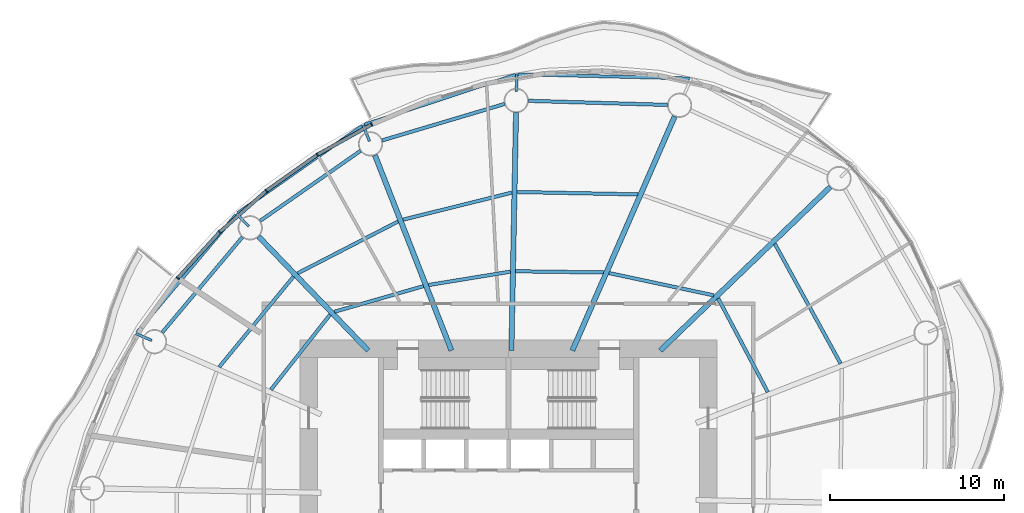
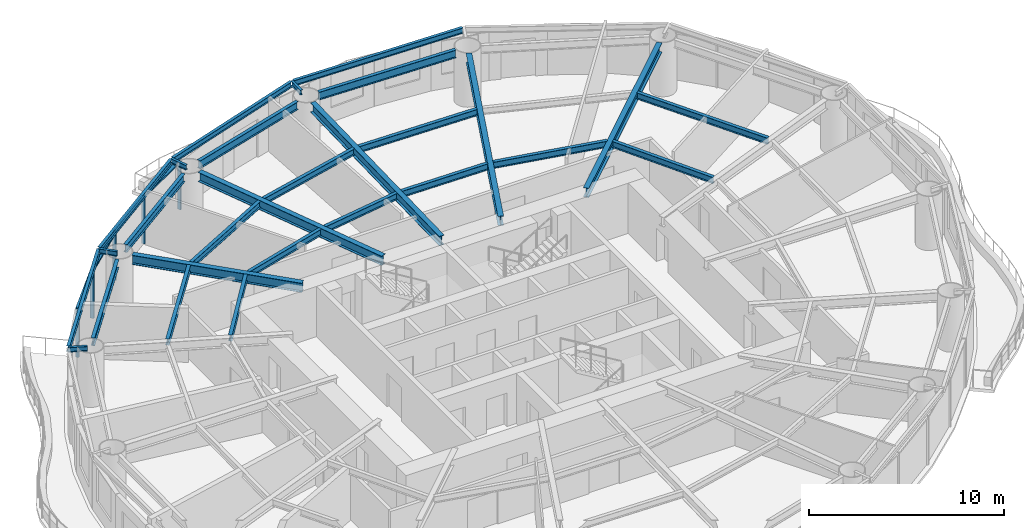
# One storey, part 5 of 14: 28 beams, 9 members, 4 elements without a shape of their own.
"""IFC4 building model written with IfcOpenShell, lengths in metres."""

import ifcopenshell
import ifcopenshell.guid

model = None  # the IFC model being written
_history = None  # IfcOwnerHistory: only IFC2X3 demands one
_inside = {}  # id of a spatial element -> (the spatial element, [elements in it])
_under = {}  # id of a project, library or spatial element -> (it, [spatial elements below it])
_declared = {}  # id of a project -> (the project, [libraries it declares])
_typed = {}  # id of a type object -> (the type object, [elements of that type])
_made_of = {}  # id of a material, layer set ... -> (it, [elements and type objects made of it])


def new_model(schema):
    """Start an empty IFC model of exactly this schema.

    Asked for "IFC4X3", IfcOpenShell would pick the latest addendum, in which some entities
    have other attributes; the version numbers below select the first issue.
    IFC2X3 requires an IfcOwnerHistory on every rooted entity: one is made here for all.
    """
    global model, _history
    if schema == "IFC4X3":
        model = ifcopenshell.file(schema_version=(4, 3, 0, 0))
    else:
        model = ifcopenshell.file(schema=schema)
    _inside.clear()
    _under.clear()
    _declared.clear()
    _typed.clear()
    _made_of.clear()
    _history = None
    if model.schema == "IFC2X3":
        org = make("IfcOrganization", Name="unknown")
        user = make(
            "IfcPersonAndOrganization",
            ThePerson=make("IfcPerson", FamilyName="unknown"),
            TheOrganization=org,
        )
        app = make(
            "IfcApplication",
            ApplicationDeveloper=org,
            Version="unknown",
            ApplicationFullName="unknown",
            ApplicationIdentifier="unknown",
        )
        _history = make(
            "IfcOwnerHistory",
            OwningUser=user,
            OwningApplication=app,
            ChangeAction="ADDED",
            CreationDate=0,
        )
    return model


def make(cls, **values):
    """One entity of the class cls with the attributes given. An attribute that is None is left unset."""
    return model.create_entity(
        cls, **{name: value for name, value in values.items() if value is not None}
    )


def rooted(cls, **values):
    """An entity with a GlobalId (a new one), such as an element, a storey or a relation."""
    return make(cls, GlobalId=ifcopenshell.guid.new(), OwnerHistory=_history, **values)


def si_unit(unit_type, name, prefix=None):
    """IfcSIUnit, for example si_unit("LENGTHUNIT", "METRE", prefix="MILLI")."""
    return make("IfcSIUnit", UnitType=unit_type, Prefix=prefix, Name=name)


def assignment(units):
    """IfcUnitAssignment: the units of a project."""
    return None if units is None else make("IfcUnitAssignment", Units=units)


def point(xyz):
    """IfcCartesianPoint."""
    return None if xyz is None else make("IfcCartesianPoint", Coordinates=xyz)


def direction(xyz):
    """IfcDirection."""
    return None if xyz is None else make("IfcDirection", DirectionRatios=xyz)


def frame(location, z_axis=None, x_axis=None):
    """IfcAxis2Placement3D, a coordinate frame: its origin and axes. An axis left out is left unset."""
    return make(
        "IfcAxis2Placement3D",
        Location=point(location),
        Axis=direction(z_axis),
        RefDirection=direction(x_axis),
    )


def frame_2d(location, x_axis=None):
    """IfcAxis2Placement2D, a coordinate frame in the plane: its origin and x axis."""
    return make(
        "IfcAxis2Placement2D", Location=point(location), RefDirection=direction(x_axis)
    )


def origin():
    """The frame at (0, 0, 0) with its axes left unset."""
    return frame((0.0, 0.0, 0.0))


def origin_2d():
    """The frame at (0, 0) in the plane with its x axis left unset."""
    return frame_2d((0.0, 0.0))


def place(relative_to, where):
    """IfcLocalPlacement: puts the frame where relative to a parent placement (None: the world)."""
    return make(
        "IfcLocalPlacement", PlacementRelTo=relative_to, RelativePlacement=where
    )


def context(
    kind, dimensions, precision=None, world=None, true_north=None, identifier=None
):
    """IfcGeometricRepresentationContext, for example the 3D "Model" context."""
    return make(
        "IfcGeometricRepresentationContext",
        ContextIdentifier=identifier,
        ContextType=kind,
        CoordinateSpaceDimension=dimensions,
        Precision=precision,
        WorldCoordinateSystem=world,
        TrueNorth=true_north,
    )


def subcontext(parent, identifier, kind, view, scale=None):
    """IfcGeometricRepresentationSubContext, for example "Body" below "Model"."""
    return make(
        "IfcGeometricRepresentationSubContext",
        ContextIdentifier=identifier,
        ContextType=kind,
        ParentContext=parent,
        TargetScale=scale,
        TargetView=view,
    )


def project(units=None, contexts=None):
    """IfcProject with its units and contexts."""
    return rooted(
        "IfcProject",
        Name="project",
        RepresentationContexts=contexts,
        UnitsInContext=assignment(units),
    )


def spatial(cls, under=None, at=None, **own):
    """A site, building, storey or space (cls), placed at a placement, below another one or the project."""
    s = rooted(cls, ObjectPlacement=at, **own)
    if under is not None:
        _under.setdefault(under.id(), (under, []))[1].append(s)
    return s


def profile(cls, at=None, kind="AREA", **sizes):
    """A parametric profile (cls). Its sizes go by their IFC names, for example OverallWidth=200.0."""
    return make(cls, ProfileType=kind, Position=at, **sizes)


def rectangle(**sizes):
    """IfcRectangleProfileDef."""
    return profile("IfcRectangleProfileDef", **sizes)


def i_section(**sizes):
    """IfcIShapeProfileDef."""
    return profile("IfcIShapeProfileDef", **sizes)


def extrude(swept, where, along, depth):
    """IfcExtrudedAreaSolid: the profile swept, set in the frame where, extruded along a direction by depth."""
    return make(
        "IfcExtrudedAreaSolid",
        SweptArea=swept,
        Position=where,
        ExtrudedDirection=direction(along),
        Depth=depth,
    )


def shape(context_of_items, identifier, shape_type, items):
    """IfcShapeRepresentation: the items that make up one representation, for example the "Body"."""
    return make(
        "IfcShapeRepresentation",
        ContextOfItems=context_of_items,
        RepresentationIdentifier=identifier,
        RepresentationType=shape_type,
        Items=items,
    )


def material(Name=None, Category=None):
    """IfcMaterial."""
    return make("IfcMaterial", Name=Name, Category=Category)


def material_profile(
    of_material, cross_section, Name=None, Category=None, Priority=None
):
    """IfcMaterialProfile: a cross section and its material."""
    return make(
        "IfcMaterialProfile",
        Name=Name,
        Material=of_material,
        Profile=cross_section,
        Priority=Priority,
        Category=Category,
    )


def profile_set(profiles, Name=None, composite=None):
    """IfcMaterialProfileSet."""
    return make(
        "IfcMaterialProfileSet",
        Name=Name,
        MaterialProfiles=profiles,
        CompositeProfile=composite,
    )


def made_of(thing, what):
    """Note that an element or type object is made of a material, layer set ...; save() writes the relation."""
    if what is not None:
        _made_of.setdefault(what.id(), (what, []))[1].append(thing)
    return thing


def type_object(cls, material=None, **own):
    """A type object (cls), such as IfcWallType, which elements share."""
    return made_of(rooted(cls, **own), material)


def element(
    cls,
    number,
    at=None,
    inside=None,
    cuts=None,
    type_object=None,
    material=None,
    context=None,
    identifier="Body",
    shape_type=None,
    held_by="IfcProductDefinitionShape",
    body=None,
    shapes=None,
    **own,
):
    """One element of the class cls, such as IfcWall. Its Tag is "e" and its number.

    at: its placement. inside: the storey or other place that contains it. cuts: it is an
    opening in that element (IfcRelVoidsElement). A single representation is given by context,
    identifier, shape_type and body (its items); several are given by shapes. held_by: the class
    of the entity that holds the representations. save() writes the other relations.
    """
    e = rooted(cls, Tag="e%d" % number, ObjectPlacement=at, **own)
    if body is not None:
        shapes = [shape(context, identifier, shape_type, body)]
    if shapes is not None:
        e.Representation = make(held_by, Representations=shapes)
    if inside is not None:
        _inside.setdefault(inside.id(), (inside, []))[1].append(e)
    if cuts is not None:
        rooted(
            "IfcRelVoidsElement", RelatingBuildingElement=cuts, RelatedOpeningElement=e
        )
    if type_object is not None:
        _typed.setdefault(type_object.id(), (type_object, []))[1].append(e)
    return made_of(e, material)


def aggregate(whole, parts):
    """IfcRelAggregates: a whole, such as a stair, and the parts it consists of."""
    return rooted("IfcRelAggregates", RelatingObject=whole, RelatedObjects=parts)


def save(model, path):
    """Write the relations noted so far, then the file.

    IfcRelAggregates (storeys below a building ...), IfcRelContainedInSpatialStructure (elements
    in a storey), IfcRelDefinesByType, IfcRelAssociatesMaterial and IfcRelDeclares: one each for
    every whole, place, type object, material and project.
    """
    for whole, parts in _under.values():
        aggregate(whole, parts)
    for where, things in _inside.values():
        rooted(
            "IfcRelContainedInSpatialStructure",
            RelatedElements=things,
            RelatingStructure=where,
        )
    for kind, things in _typed.values():
        rooted("IfcRelDefinesByType", RelatedObjects=things, RelatingType=kind)
    for what, things in _made_of.values():
        rooted("IfcRelAssociatesMaterial", RelatedObjects=things, RelatingMaterial=what)
    for by, libraries in _declared.values():
        rooted("IfcRelDeclares", RelatingContext=by, RelatedDefinitions=libraries)
    model.write(path)


model = new_model("IFC4")

# Units and contexts
model_context = context("Model", 3, precision=1e-05, world=origin(), true_north=direction((0.0, 1.0)))
body_context = subcontext(model_context, "Body", "Model", "MODEL_VIEW")
ifc_project = project(units=[si_unit("LENGTHUNIT", "METRE"), si_unit("AREAUNIT", "SQUARE_METRE"), si_unit("VOLUMEUNIT", "CUBIC_METRE"), si_unit("PLANEANGLEUNIT", "RADIAN"), si_unit("MASSUNIT", "GRAM", prefix="KILO")], contexts=[model_context])

# Site, building, storey
site_placement = place(None, origin())
site = spatial("IfcSite", under=ifc_project, at=site_placement, CompositionType="ELEMENT")
building_placement = place(site_placement, origin())
building = spatial("IfcBuilding", under=site, at=building_placement, Name="Vermilion Reach Broadcast Tower", CompositionType="ELEMENT")
storey_placement = place(building_placement, frame((0.0, 0.0, 186.60009765625)))
storey = spatial("IfcBuildingStorey", under=building, at=storey_placement, Name="L45", CompositionType="ELEMENT", Elevation=186.60009765625)

# Beams
ifc_material_1 = material(Name="Steel S355J2", Category="steel")
ifc_material_profile_1 = material_profile(ifc_material_1, i_section(OverallWidth=0.175048828125, OverallDepth=0.35009765625, WebThickness=0.007080078125, FlangeThickness=0.010986328125, at=origin_2d()), Name="S355J2 HN 350x175x7x11")
ifc_profile_set_1 = profile_set([ifc_material_profile_1], Name="Steel S355J2")
beam_type_1 = type_object("IfcBeamType", Name="EB3 HN 350x175x7x11", PredefinedType="BEAM", material=ifc_profile_set_1)
beam_1_placement = place(storey_placement, frame((4.4384765625, 24.06884765625, 3.224853515625), z_axis=(-0.99970465298, 0.024302403396, 0.0), x_axis=(-0.024302403396, -0.99970465298, 0.0)))
element("IfcBeam", 1, at=beam_1_placement, inside=storey, type_object=beam_type_1, Name="Edge beam EB3-02", PredefinedType="BEAM", context=body_context, shape_type="SweptSolid", body=[
    extrude(i_section(OverallWidth=0.175048828125, OverallDepth=0.35009765625, WebThickness=0.007080078125, FlangeThickness=0.010986328125, at=origin_2d()), origin(), (0.0, 0.0, 1.0), 9.895263671875),
])
beam_2_placement = place(storey_placement, frame((-5.6044921875, 24.286376953125, 3.224853515625), z_axis=(-0.949463615781, -0.313877113387, 0.0), x_axis=(0.313877113387, -0.949463615781, 0.0)))
element("IfcBeam", 2, at=beam_2_placement, inside=storey, type_object=beam_type_1, Name="Edge beam EB3-03", PredefinedType="BEAM", context=body_context, shape_type="SweptSolid", body=[
    extrude(i_section(OverallWidth=0.175048828125, OverallDepth=0.35009765625, WebThickness=0.007080078125, FlangeThickness=0.010986328125, at=origin_2d()), origin(), (0.0, 0.0, 1.0), 9.164306640625),
])
beam_3_placement = place(storey_placement, frame((-14.440185546875, 21.342041015625, 3.224853515625), z_axis=(-0.818428114989, -0.574608928398, 0.0), x_axis=(0.574608928398, -0.818428114989, 0.0)))
element("IfcBeam", 3, at=beam_3_placement, inside=storey, type_object=beam_type_1, Name="Edge beam EB3-04", PredefinedType="BEAM", context=body_context, shape_type="SweptSolid", body=[
    extrude(i_section(OverallWidth=0.175048828125, OverallDepth=0.35009765625, WebThickness=0.007080078125, FlangeThickness=0.010986328125, at=origin_2d()), origin(), (0.0, 0.0, 1.0), 8.741455078125),
])
beam_4_placement = place(storey_placement, frame((-21.705322265625, 16.217529296875, 3.224853515625), z_axis=(-0.643532045496, -0.765419170402, 0.0), x_axis=(0.765419170402, -0.643532045496, 0.0)))
element("IfcBeam", 4, at=beam_4_placement, inside=storey, type_object=beam_type_1, Name="Edge beam EB3-05", PredefinedType="BEAM", context=body_context, shape_type="SweptSolid", body=[
    extrude(i_section(OverallWidth=0.175048828125, OverallDepth=0.35009765625, WebThickness=0.007080078125, FlangeThickness=0.010986328125, at=origin_2d()), origin(), (0.0, 0.0, 1.0), 8.857177734375),
])
ifc_material_2 = material(Name="Steel S355J2", Category="steel")
ifc_material_profile_2 = material_profile(ifc_material_2, i_section(OverallWidth=0.300048828125, OverallDepth=0.587890625, WebThickness=0.011962890625, FlangeThickness=0.02001953125, at=origin_2d()), Name="S355J2 HM 588x300x12x20")
ifc_profile_set_2 = profile_set([ifc_material_profile_2], Name="Steel S355J2")
beam_type_2 = type_object("IfcBeamType", Name="G3 HM 588x300x12x20", PredefinedType="BEAM", material=ifc_profile_set_2)
beam_5_placement = place(storey_placement, frame((2.73193359375, 8.39990234375, 3.10595703125), z_axis=(0.720669342644, 0.693278947158, 0.0), x_axis=(-0.693278947158, 0.720669342644, 0.0)))
element("IfcBeam", 5, at=beam_5_placement, inside=storey, type_object=beam_type_2, Name="Girder G3-01", PredefinedType="BEAM", context=body_context, shape_type="SweptSolid", body=[
    extrude(i_section(OverallWidth=0.300048828125, OverallDepth=0.587890625, WebThickness=0.011962890625, FlangeThickness=0.02001953125, at=origin_2d()), origin(), (0.0, 0.0, 1.0), 13.583984375),
])
beam_6_placement = place(storey_placement, frame((-2.328369140625, 8.39990234375, 3.10595703125), z_axis=(0.400513302086, 0.916290944434, 0.0), x_axis=(-0.916290944434, 0.400513302086, 0.0)))
element("IfcBeam", 6, at=beam_6_placement, inside=storey, type_object=beam_type_2, Name="Girder G3-02", PredefinedType="BEAM", context=body_context, shape_type="SweptSolid", body=[
    extrude(i_section(OverallWidth=0.300048828125, OverallDepth=0.587890625, WebThickness=0.011962890625, FlangeThickness=0.02001953125, at=origin_2d()), origin(), (0.0, 0.0, 1.0), 14.71435546875),
])
beam_7_placement = place(storey_placement, frame((-5.837158203125, 8.39990234375, 3.10595703125), z_axis=(0.019366956402, 0.999812442911, 0.0), x_axis=(-0.999812442911, 0.019366956402, 0.0)))
element("IfcBeam", 7, at=beam_7_placement, inside=storey, type_object=beam_type_2, Name="Girder G3-03", PredefinedType="BEAM", context=body_context, shape_type="SweptSolid", body=[
    extrude(i_section(OverallWidth=0.300048828125, OverallDepth=0.587890625, WebThickness=0.011962890625, FlangeThickness=0.02001953125, at=origin_2d()), origin(), (0.0, 0.0, 1.0), 13.702880859375),
])
beam_8_placement = place(storey_placement, frame((-9.290283203125, 8.39990234375, 3.10595703125), z_axis=(-0.364701826604, 0.931124362087, 0.0), x_axis=(-0.931124362087, -0.364701826604, 0.0)))
element("IfcBeam", 8, at=beam_8_placement, inside=storey, type_object=beam_type_2, Name="Girder G3-04", PredefinedType="BEAM", context=body_context, shape_type="SweptSolid", body=[
    extrude(i_section(OverallWidth=0.300048828125, OverallDepth=0.587890625, WebThickness=0.011962890625, FlangeThickness=0.02001953125, at=origin_2d()), origin(), (0.0, 0.0, 1.0), 12.0810546875),
])
beam_9_placement = place(storey_placement, frame((-14.08056640625, 8.39990234375, 3.10595703125), z_axis=(-0.693288178928, 0.720660461631, 0.0), x_axis=(-0.720660461631, -0.693288178928, 0.0)))
element("IfcBeam", 9, at=beam_9_placement, inside=storey, type_object=beam_type_2, Name="Girder G3-05", PredefinedType="BEAM", context=body_context, shape_type="SweptSolid", body=[
    extrude(i_section(OverallWidth=0.300048828125, OverallDepth=0.587890625, WebThickness=0.011962890625, FlangeThickness=0.02001953125, at=origin_2d()), origin(), (0.0, 0.0, 1.0), 9.106689453125),
])
ifc_material_3 = material(Name="Steel S355J2", Category="steel")
ifc_material_profile_3 = material_profile(ifc_material_3, i_section(OverallWidth=0.14990234375, OverallDepth=0.300048828125, WebThickness=0.006591796875, FlangeThickness=0.009033203125, at=origin_2d()), Name="S355J2 HN 300x150x6.5x9")
ifc_profile_set_3 = profile_set([ifc_material_profile_3], Name="Steel S355J2")
beam_type_3 = type_object("IfcBeamType", Name="GS3 HN 300x150x6.5x9", PredefinedType="BEAM", material=ifc_profile_set_3)
beam_10_placement = place(storey_placement, frame((-5.54833984375, 23.3115234375, 3.25), z_axis=(0.019288230334, 0.999813964781, 0.0), x_axis=(-0.999813964781, 0.019288230334, 0.0)))
element("IfcBeam", 10, at=beam_10_placement, inside=storey, type_object=beam_type_3, Name="Cantilever stub GS3-03", PredefinedType="BEAM", context=body_context, shape_type="SweptSolid", body=[
    extrude(i_section(OverallWidth=0.14990234375, OverallDepth=0.300048828125, WebThickness=0.006591796875, FlangeThickness=0.009033203125, at=origin_2d()), origin(), (0.0, 0.0, 1.0), 1.0),
])
beam_11_placement = place(storey_placement, frame((-14.01220703125, 20.455322265625, 3.25), z_axis=(-0.364813627815, 0.931080564162, 0.0), x_axis=(-0.931080564162, -0.364813627815, 0.0)))
element("IfcBeam", 11, at=beam_11_placement, inside=storey, type_object=beam_type_3, Name="Cantilever stub GS3-04", PredefinedType="BEAM", context=body_context, shape_type="SweptSolid", body=[
    extrude(i_section(OverallWidth=0.14990234375, OverallDepth=0.300048828125, WebThickness=0.006591796875, FlangeThickness=0.009033203125, at=origin_2d()), origin(), (0.0, 0.0, 1.0), 0.999755859375),
])
for number, where, z_axis, x_axis, name in (
    (12, (-20.96337890625, 15.5546875, 3.25), (-0.693303837595, 0.720645397388, 0.0), (-0.720645397388, -0.693303837595, 0.0), "Cantilever stub GS3-05"),
    (13, (-26.539306640625, 8.9775390625, 3.25), (-0.916241361485, 0.400626718411, 0.0), (-0.400626718411, -0.916241361485, 0.0), "Cantilever stub GS3-06"),
):
    element("IfcBeam", number, at=place(storey_placement, frame(where, z_axis=z_axis, x_axis=x_axis)), inside=storey, type_object=beam_type_3, Name=name, PredefinedType="BEAM", context=body_context, shape_type="SweptSolid", body=[
        extrude(i_section(OverallWidth=0.14990234375, OverallDepth=0.300048828125, WebThickness=0.006591796875, FlangeThickness=0.009033203125, at=origin_2d()), origin(), (0.0, 0.0, 1.0), 1.0),
    ])
ifc_material_4 = material(Name="Steel S355J2", Category="steel")
ifc_material_profile_4 = material_profile(ifc_material_4, i_section(OverallWidth=0.199951171875, OverallDepth=0.5, WebThickness=0.010009765625, FlangeThickness=0.01611328125, at=origin_2d()), Name="S355J2 HN 500x200x10x16")
ifc_profile_set_4 = profile_set([ifc_material_profile_4], Name="Steel S355J2")
beam_type_4 = type_object("IfcBeamType", Name="RB3 HN 500x200x10x16", PredefinedType="BEAM", material=ifc_profile_set_4)
beam_12_placement = place(storey_placement, frame((3.1455078125, 22.544677734375, 3.14990234375), z_axis=(-0.999569781146, 0.029330063427, 0.0), x_axis=(-0.029330063427, -0.999569781146, 0.0)))
element("IfcBeam", 14, at=beam_12_placement, inside=storey, type_object=beam_type_4, Name="Ring beam RB3-02", PredefinedType="BEAM", context=body_context, shape_type="SweptSolid", body=[
    extrude(i_section(OverallWidth=0.199951171875, OverallDepth=0.5, WebThickness=0.010009765625, FlangeThickness=0.01611328125, at=origin_2d()), origin(), (0.0, 0.0, 1.0), 8.007568359375),
])
beam_13_placement = place(storey_placement, frame((-6.229248046875, 22.60009765625, 3.14990234375), z_axis=(-0.958416970322, -0.285371531516, 0.0), x_axis=(0.285371531516, -0.958416970322, 0.0)))
element("IfcBeam", 15, at=beam_13_placement, inside=storey, type_object=beam_type_4, Name="Ring beam RB3-03", PredefinedType="BEAM", context=body_context, shape_type="SweptSolid", body=[
    extrude(i_section(OverallWidth=0.199951171875, OverallDepth=0.5, WebThickness=0.010009765625, FlangeThickness=0.01611328125, at=origin_2d()), origin(), (0.0, 0.0, 1.0), 7.357421875),
])
beam_14_placement = place(storey_placement, frame((-14.525634765625, 19.900146484375, 3.14990234375), z_axis=(-0.820111453349, -0.572203813415, 0.0), x_axis=(0.572203813415, -0.820111453349, 0.0)))
element("IfcBeam", 16, at=beam_14_placement, inside=storey, type_object=beam_type_4, Name="Ring beam RB3-04", PredefinedType="BEAM", context=body_context, shape_type="SweptSolid", body=[
    extrude(i_section(OverallWidth=0.199951171875, OverallDepth=0.5, WebThickness=0.010009765625, FlangeThickness=0.01611328125, at=origin_2d()), origin(), (0.0, 0.0, 1.0), 7.04736328125),
])
beam_15_placement = place(storey_placement, frame((-21.32958984375, 14.931396484375, 3.14990234375), z_axis=(-0.643350337931, -0.765571905626, 0.0), x_axis=(0.765571905626, -0.643350337931, 0.0)))
element("IfcBeam", 17, at=beam_15_placement, inside=storey, type_object=beam_type_4, Name="Ring beam RB3-05", PredefinedType="BEAM", context=body_context, shape_type="SweptSolid", body=[
    extrude(i_section(OverallWidth=0.199951171875, OverallDepth=0.5, WebThickness=0.010009765625, FlangeThickness=0.01611328125, at=origin_2d()), origin(), (0.0, 0.0, 1.0), 7.1630859375),
])
ifc_material_5 = material(Name="Steel S355J2", Category="steel")
ifc_material_profile_5 = material_profile(ifc_material_5, i_section(OverallWidth=0.199951171875, OverallDepth=0.39990234375, WebThickness=0.008056640625, FlangeThickness=0.012939453125, at=origin_2d()), Name="S355J2 HN 400x200x8x13")
ifc_profile_set_5 = profile_set([ifc_material_profile_5], Name="Steel S355J2")
beam_type_5 = type_object("IfcBeamType", Name="SB3 HN 400x200x8x13", PredefinedType="BEAM", material=ifc_profile_set_5)
beam_16_placement = place(storey_placement, frame((5.81787109375, 11.576904296875, 3.199951171875), z_axis=(-0.97803987532, 0.208417855003, 0.0), x_axis=(-0.208417855003, -0.97803987532, 0.0)))
element("IfcBeam", 18, at=beam_16_placement, inside=storey, type_object=beam_type_5, Name="Secondary beam SB3-01-1", PredefinedType="BEAM", context=body_context, shape_type="SweptSolid", body=[
    extrude(i_section(OverallWidth=0.199951171875, OverallDepth=0.39990234375, WebThickness=0.008056640625, FlangeThickness=0.012939453125, at=origin_2d()), origin(), (0.0, 0.0, 1.0), 6.16748046875),
])
beam_17_placement = place(storey_placement, frame((-0.526611328125, 12.896484375, 3.199951171875), z_axis=(-0.999909843758, 0.013427745784, 0.0), x_axis=(-0.013427745784, -0.999909843758, 0.0)))
element("IfcBeam", 19, at=beam_17_placement, inside=storey, type_object=beam_type_5, Name="Secondary beam SB3-02-1", PredefinedType="BEAM", context=body_context, shape_type="SweptSolid", body=[
    extrude(i_section(OverallWidth=0.199951171875, OverallDepth=0.39990234375, WebThickness=0.008056640625, FlangeThickness=0.012939453125, at=origin_2d()), origin(), (0.0, 0.0, 1.0), 5.07275390625),
])
beam_18_placement = place(storey_placement, frame((1.438232421875, 17.3916015625, 3.199951171875), z_axis=(-0.999800915862, 0.019953161175, 0.0), x_axis=(-0.019953161175, -0.999800915862, 0.0)))
element("IfcBeam", 20, at=beam_18_placement, inside=storey, type_object=beam_type_5, Name="Secondary beam SB3-02-2", PredefinedType="BEAM", context=body_context, shape_type="SweptSolid", body=[
    extrude(i_section(OverallWidth=0.199951171875, OverallDepth=0.39990234375, WebThickness=0.008056640625, FlangeThickness=0.012939453125, at=origin_2d()), origin(), (0.0, 0.0, 1.0), 6.949951171875),
])
beam_19_placement = place(storey_placement, frame((-5.899169921875, 12.942138671875, 3.199951171875), z_axis=(-0.98696193116, -0.160953864325, 0.0), x_axis=(0.160953864325, -0.98696193116, 0.0)))
element("IfcBeam", 21, at=beam_19_placement, inside=storey, type_object=beam_type_5, Name="Secondary beam SB3-03-1", PredefinedType="BEAM", context=body_context, shape_type="SweptSolid", body=[
    extrude(i_section(OverallWidth=0.199951171875, OverallDepth=0.39990234375, WebThickness=0.008056640625, FlangeThickness=0.012939453125, at=origin_2d()), origin(), (0.0, 0.0, 1.0), 4.7705078125),
])
beam_20_placement = place(storey_placement, frame((-5.81103515625, 17.495849609375, 3.199951171875), z_axis=(-0.970410858976, -0.241459654564, 0.0), x_axis=(0.241459654564, -0.970410858976, 0.0)))
element("IfcBeam", 22, at=beam_20_placement, inside=storey, type_object=beam_type_5, Name="Secondary beam SB3-03-2", PredefinedType="BEAM", context=body_context, shape_type="SweptSolid", body=[
    extrude(i_section(OverallWidth=0.199951171875, OverallDepth=0.39990234375, WebThickness=0.008056640625, FlangeThickness=0.012939453125, at=origin_2d()), origin(), (0.0, 0.0, 1.0), 6.4609375),
])
beam_21_placement = place(storey_placement, frame((-10.90380859375, 12.10791015625, 3.199951171875), z_axis=(-0.960977199097, -0.276627588674, 0.0), x_axis=(0.276627588674, -0.960977199097, 0.0)))
element("IfcBeam", 23, at=beam_21_placement, inside=storey, type_object=beam_type_5, Name="Secondary beam SB3-04-1", PredefinedType="BEAM", context=body_context, shape_type="SweptSolid", body=[
    extrude(i_section(OverallWidth=0.199951171875, OverallDepth=0.39990234375, WebThickness=0.008056640625, FlangeThickness=0.012939453125, at=origin_2d()), origin(), (0.0, 0.0, 1.0), 5.326171875),
])
beam_22_placement = place(storey_placement, frame((-12.36181640625, 15.830322265625, 3.199951171875), z_axis=(-0.888886664493, -0.458127163227, 0.0), x_axis=(0.458127163227, -0.888886664493, 0.0)))
element("IfcBeam", 24, at=beam_22_placement, inside=storey, type_object=beam_type_5, Name="Secondary beam SB3-04-2", PredefinedType="BEAM", context=body_context, shape_type="SweptSolid", body=[
    extrude(i_section(OverallWidth=0.199951171875, OverallDepth=0.39990234375, WebThickness=0.008056640625, FlangeThickness=0.012939453125, at=origin_2d()), origin(), (0.0, 0.0, 1.0), 6.51220703125),
])
beam_23_placement = place(storey_placement, frame((-16.27880859375, 10.46875, 3.199951171875), z_axis=(-0.61905880052, -0.785344638677, 0.0), x_axis=(0.785344638677, -0.61905880052, 0.0)))
element("IfcBeam", 25, at=beam_23_placement, inside=storey, type_object=beam_type_5, Name="Secondary beam SB3-05-1", PredefinedType="BEAM", context=body_context, shape_type="SweptSolid", body=[
    extrude(i_section(OverallWidth=0.199951171875, OverallDepth=0.39990234375, WebThickness=0.008056640625, FlangeThickness=0.012939453125, at=origin_2d()), origin(), (0.0, 0.0, 1.0), 5.50439453125),
])
beam_24_placement = place(storey_placement, frame((-18.385498046875, 12.658447265625, 3.199951171875), z_axis=(-0.634758726628, -0.772710397865, 0.0), x_axis=(0.772710397865, -0.634758726628, 0.0)))
element("IfcBeam", 26, at=beam_24_placement, inside=storey, type_object=beam_type_5, Name="Secondary beam SB3-05-2", PredefinedType="BEAM", context=body_context, shape_type="SweptSolid", body=[
    extrude(i_section(OverallWidth=0.199951171875, OverallDepth=0.39990234375, WebThickness=0.008056640625, FlangeThickness=0.012939453125, at=origin_2d()), origin(), (0.0, 0.0, 1.0), 6.74267578125),
])
beam_25_placement = place(storey_placement, frame((8.925537109375, 6.00732421875, 3.199951171875), z_axis=(-0.468128443589, 0.883660432691, 0.0), x_axis=(-0.883660432691, -0.468128443589, 0.0)))
element("IfcBeam", 27, at=beam_25_placement, inside=storey, type_object=beam_type_5, Name="Secondary beam SB3-16-1", PredefinedType="BEAM", context=body_context, shape_type="SweptSolid", body=[
    extrude(i_section(OverallWidth=0.199951171875, OverallDepth=0.39990234375, WebThickness=0.008056640625, FlangeThickness=0.012939453125, at=origin_2d()), origin(), (0.0, 0.0, 1.0), 6.10400390625),
])
beam_26_placement = place(storey_placement, frame((13.11962890625, 7.650146484375, 3.199951171875), z_axis=(-0.481538513098, 0.876424931414, 0.0), x_axis=(-0.876424931414, -0.481538513098, 0.0)))
element("IfcBeam", 28, at=beam_26_placement, inside=storey, type_object=beam_type_5, Name="Secondary beam SB3-16-2", PredefinedType="BEAM", context=body_context, shape_type="SweptSolid", body=[
    extrude(i_section(OverallWidth=0.199951171875, OverallDepth=0.39990234375, WebThickness=0.008056640625, FlangeThickness=0.012939453125, at=origin_2d()), origin(), (0.0, 0.0, 1.0), 7.863525390625),
])

# Curtain wall, member
ifc_material_6 = material(Name="Low-e laminated clear glass in aluminium frame", Category="aluminium")
curtain_wall_type = type_object("IfcCurtainWallType", Name="Slot curtain wall", PredefinedType="NOTDEFINED", material=ifc_material_6)
placement = place(storey_placement, origin())
curtain_wall_1 = element("IfcCurtainWall", 29, at=placement, inside=storey, type_object=curtain_wall_type, Name="Slot curtain wall L45 10", PredefinedType="NOTDEFINED")
ifc_material_7 = material(Name="Anodised aluminium", Category="aluminium")
ifc_material_profile_6 = material_profile(ifc_material_7, rectangle(XDim=0.199951171875, YDim=0.080078125, at=origin_2d()), Name="Slot mullion 80 x 200")
ifc_profile_set_6 = profile_set([ifc_material_profile_6], Name="Anodised aluminium")
member_type_1 = type_object("IfcMemberType", Name="Slot mullion 80 x 200", PredefinedType="MULLION", material=ifc_profile_set_6)
member_1_placement = place(storey_placement, frame((-13.88818359375, 21.418701171875, 0.0), z_axis=(0.0, 0.0, 1.0), x_axis=(0.438355522806, -0.898801666457, 0.0)))
member_1 = element("IfcMember", 30, at=member_1_placement, type_object=member_type_1, Name="Slot mullion L45 10", PredefinedType="MULLION", context=body_context, shape_type="SweptSolid", body=[
    extrude(rectangle(XDim=0.199951171875, YDim=0.080078125, at=origin_2d()), origin(), (0.0, 0.0, 1.0), 3.0498046875),
])

curtain_wall_2 = element("IfcCurtainWall", 31, at=placement, inside=storey, type_object=curtain_wall_type, Name="Slot curtain wall L45 11", PredefinedType="NOTDEFINED")
member_2_placement = place(storey_placement, frame((-17.011962890625, 19.6767578125, 0.0), z_axis=(0.0, 0.0, 1.0), x_axis=(0.533379319448, -0.845876173908, 0.0)))
member_2 = element("IfcMember", 32, at=member_2_placement, type_object=member_type_1, Name="Slot mullion L45 11", PredefinedType="MULLION", context=body_context, shape_type="SweptSolid", body=[
    extrude(rectangle(XDim=0.199951171875, YDim=0.080078125, at=origin_2d()), origin(), (0.0, 0.0, 1.0), 3.0498046875),
])

curtain_wall_3 = element("IfcCurtainWall", 33, at=placement, inside=storey, type_object=curtain_wall_type, Name="Slot curtain wall L45 12", PredefinedType="NOTDEFINED")
member_3_placement = place(storey_placement, frame((-19.947021484375, 17.5966796875, 0.0), z_axis=(0.0, 0.0, 1.0), x_axis=(0.621147789333, -0.783693450149, 0.0)))
member_3 = element("IfcMember", 34, at=member_3_placement, type_object=member_type_1, Name="Slot mullion L45 12", PredefinedType="MULLION", context=body_context, shape_type="SweptSolid", body=[
    extrude(rectangle(XDim=0.199951171875, YDim=0.080078125, at=origin_2d()), origin(), (0.0, 0.0, 1.0), 3.0498046875),
])

# Curtain wall, members
curtain_wall_4 = element("IfcCurtainWall", 35, at=placement, inside=storey, type_object=curtain_wall_type, Name="Slot curtain wall L45 13", PredefinedType="NOTDEFINED")
member_4_placement = place(storey_placement, frame((-22.642333984375, 15.21435546875, 0.0), z_axis=(0.0, 0.0, 1.0), x_axis=(0.701729602396, -0.712443376782, 0.0)))
member_4 = element("IfcMember", 36, at=member_4_placement, type_object=member_type_1, Name="Slot mullion L45 13", PredefinedType="MULLION", context=body_context, shape_type="SweptSolid", body=[
    extrude(rectangle(XDim=0.199951171875, YDim=0.080078125, at=origin_2d()), origin(), (0.0, 0.0, 1.0), 3.0498046875),
])
member_5_placement = place(storey_placement, frame((-25.051513671875, 12.570556640625, 0.0), z_axis=(0.0, 0.0, 1.0), x_axis=(0.774955482217, -0.632015823047, 0.0)))
member_5 = element("IfcMember", 37, at=member_5_placement, type_object=member_type_1, Name="Slot mullion L45 14", PredefinedType="MULLION", context=body_context, shape_type="SweptSolid", body=[
    extrude(rectangle(XDim=0.199951171875, YDim=0.080078125, at=origin_2d()), origin(), (0.0, 0.0, 1.0), 3.0498046875),
])

# Member
ifc_material_8 = material(Name="Anodised aluminium", Category="aluminium")
ifc_material_profile_7 = material_profile(ifc_material_8, rectangle(XDim=0.199951171875, YDim=0.10009765625, at=origin_2d()), Name="Slot transom 200 x 100")
ifc_profile_set_7 = profile_set([ifc_material_profile_7], Name="Anodised aluminium")
member_type_2 = type_object("IfcMemberType", Name="Slot transom 200 x 100", PredefinedType="USERDEFINED", material=ifc_profile_set_7)
member_6_placement = place(storey_placement, frame((-13.923095703125, 21.399169921875, 3.0), z_axis=(-0.873398713971, -0.487005838192, 0.0), x_axis=(0.487005838192, -0.873398713971, 0.0)))
member_6 = element("IfcMember", 38, at=member_6_placement, type_object=member_type_2, Name="Slot transom L45 10.1", ObjectType="TRANSOM", PredefinedType="USERDEFINED", context=body_context, shape_type="SweptSolid", body=[
    extrude(rectangle(XDim=0.199951171875, YDim=0.10009765625, at=origin_2d()), origin(), (0.0, 0.0, 1.0), 3.49658203125),
])

aggregate(curtain_wall_1, [member_1, member_6])

member_7_placement = place(storey_placement, frame((-17.044677734375, 19.65380859375, 3.0), z_axis=(-0.815852563436, -0.578259971583, 0.0), x_axis=(0.578259971583, -0.815852563436, 0.0)))
member_7 = element("IfcMember", 39, at=member_7_placement, type_object=member_type_2, Name="Slot transom L45 11.1", ObjectType="TRANSOM", PredefinedType="USERDEFINED", context=body_context, shape_type="SweptSolid", body=[
    extrude(rectangle(XDim=0.199951171875, YDim=0.10009765625, at=origin_2d()), origin(), (0.0, 0.0, 1.0), 3.517333984375),
])

aggregate(curtain_wall_2, [member_2, member_7])

member_8_placement = place(storey_placement, frame((-19.97705078125, 17.5703125, 3.0), z_axis=(-0.749221744775, -0.662319241119, 0.0), x_axis=(0.662319241119, -0.749221744775, 0.0)))
member_8 = element("IfcMember", 40, at=member_8_placement, type_object=member_type_2, Name="Slot transom L45 12.1", ObjectType="TRANSOM", PredefinedType="USERDEFINED", context=body_context, shape_type="SweptSolid", body=[
    extrude(rectangle(XDim=0.199951171875, YDim=0.10009765625, at=origin_2d()), origin(), (0.0, 0.0, 1.0), 3.517333984375),
])

aggregate(curtain_wall_3, [member_3, member_8])

member_9_placement = place(storey_placement, frame((-22.669189453125, 15.184814453125, 3.0), z_axis=(-0.673568830196, -0.739124503036, 0.0), x_axis=(0.739124503036, -0.673568830196, 0.0)))
member_9 = element("IfcMember", 41, at=member_9_placement, type_object=member_type_2, Name="Slot transom L45 13.1", ObjectType="TRANSOM", PredefinedType="USERDEFINED", context=body_context, shape_type="SweptSolid", body=[
    extrude(rectangle(XDim=0.199951171875, YDim=0.10009765625, at=origin_2d()), origin(), (0.0, 0.0, 1.0), 3.4970703125),
])

aggregate(curtain_wall_4, [member_4, member_5, member_9])

save(model, "model.ifc")
